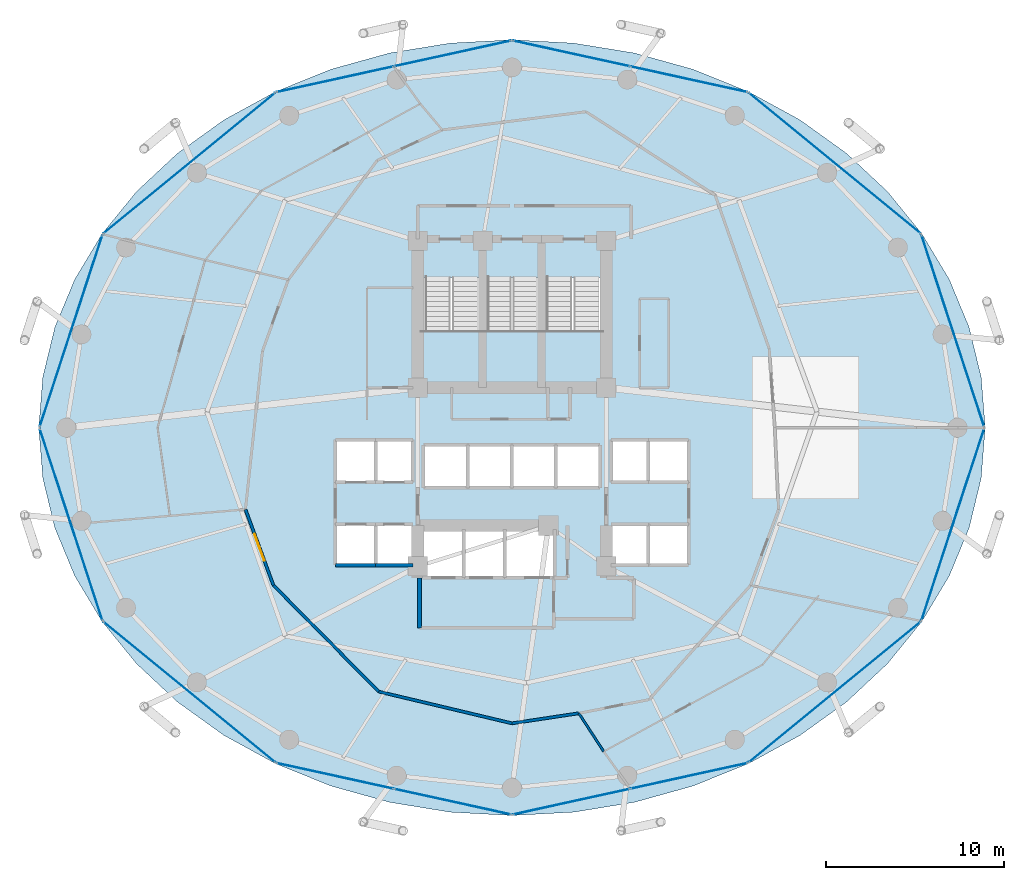
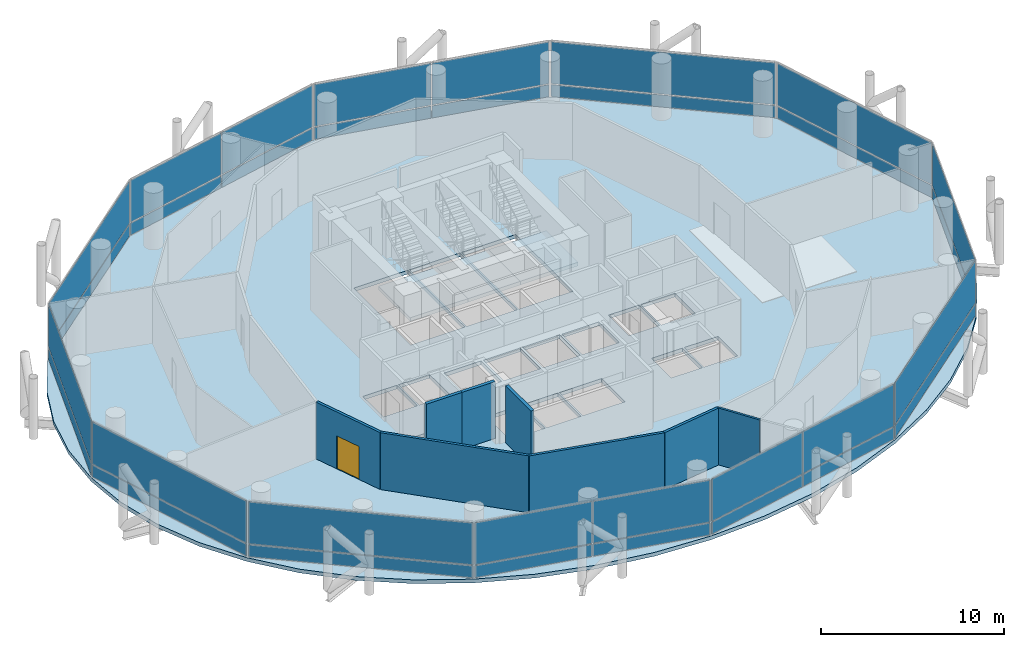
# One storey, part 20 of 24: 32 plates, 8 walls, 4 slabs, 1 door, 1 opening, 15 elements without a shape of their own.
"""IFC4 building model written with IfcOpenShell, lengths in metres."""

from ifc_helpers import new_model, si_unit, direction, frame, frame_2d, origin, origin_2d, place, context, subcontext, project, spatial, polyline, rectangle, outline, extrude, material, layer, layer_set, type_object, element, fill, aggregate, save


model = new_model("IFC4")

# Units and contexts
model_context = context("Model", 3, precision=1e-05, world=origin(), true_north=direction((0.0, 1.0)))
body_context = subcontext(model_context, "Body", "Model", "MODEL_VIEW")
ifc_project = project(units=[si_unit("LENGTHUNIT", "METRE"), si_unit("AREAUNIT", "SQUARE_METRE"), si_unit("VOLUMEUNIT", "CUBIC_METRE"), si_unit("PLANEANGLEUNIT", "RADIAN"), si_unit("MASSUNIT", "GRAM", prefix="KILO")], contexts=[model_context])

# Site, building, storey
site_placement = place(None, origin())
site = spatial("IfcSite", under=ifc_project, at=site_placement, CompositionType="ELEMENT")
building_placement = place(site_placement, origin())
building = spatial("IfcBuilding", under=site, at=building_placement, Name="Nuhasar Tower", CompositionType="ELEMENT")
storey_placement = place(building_placement, frame((0.0, 0.0, 85.800048828125)))
storey = spatial("IfcBuildingStorey", under=building, at=storey_placement, Name="L20", CompositionType="ELEMENT", Elevation=85.800048828125)

# Curtain wall, plate
ifc_material_1 = material(Name="Aluminium 6063-T6", Category="aluminium")
ifc_layer_1 = layer(ifc_material_1, 0.199951171875)
ifc_layer_set_1 = layer_set([ifc_layer_1], Name="Aluminium 6063-T6")
curtain_wall_type = type_object("IfcCurtainWallType", Name="CW-Z1-OFF", PredefinedType="NOTDEFINED", material=ifc_layer_set_1)
curtain_wall_1_placement = place(storey_placement, origin())
curtain_wall_1 = element("IfcCurtainWall", 1, at=curtain_wall_1_placement, inside=storey, type_object=curtain_wall_type, Name="L20 Unitised Curtain Wall 01", PredefinedType="NOTDEFINED")
ifc_material_2 = material(Name="Glass Double Low-E", Category="glass")
ifc_layer_2 = layer(ifc_material_2, 0.028076171875)
ifc_layer_set_2 = layer_set([ifc_layer_2], Name="Glass Double Low-E")
plate_type_1 = type_object("IfcPlateType", Name="CW-PANEL-GLZ", PredefinedType="CURTAIN_PANEL", material=ifc_layer_set_2)
plate_1_placement = place(storey_placement, frame((63.781005859375, 32.239990234375, 0.9326171875), z_axis=(0.0, 0.0, 1.0), x_axis=(-0.310823849997, 0.950467534571, 0.0)))
plate_1 = element("IfcPlate", 2, at=plate_1_placement, type_object=plate_type_1, Name="CW-Z1 panel 1.2", PredefinedType="CURTAIN_PANEL", context=body_context, shape_type="SweptSolid", body=[
    extrude(rectangle(XDim=11.31689453125, YDim=0.028076171875, at=origin_2d()), origin(), (0.0, 0.0, 1.0), 2.802490234375),
])

curtain_wall_2_placement = place(storey_placement, origin())
curtain_wall_2 = element("IfcCurtainWall", 3, at=curtain_wall_2_placement, inside=storey, type_object=curtain_wall_type, Name="L20 Unitised Curtain Wall 02", PredefinedType="NOTDEFINED")
plate_2_placement = place(storey_placement, frame((57.14111328125, 41.66259765625, 0.9326171875), z_axis=(0.0, 0.0, 1.0), x_axis=(-0.773542364946, 0.633744593376, 0.0)))
plate_2 = element("IfcPlate", 4, at=plate_2_placement, type_object=plate_type_1, Name="CW-Z1 panel 1.2", PredefinedType="CURTAIN_PANEL", context=body_context, shape_type="SweptSolid", body=[
    extrude(rectangle(XDim=12.438232421875, YDim=0.028076171875, at=origin_2d()), origin(), (0.0, 0.0, 1.0), 2.802490234375),
])

# Curtain wall, plates
curtain_wall_3_placement = place(storey_placement, origin())
curtain_wall_3 = element("IfcCurtainWall", 5, at=curtain_wall_3_placement, inside=storey, type_object=curtain_wall_type, Name="L20 Unitised Curtain Wall 03", PredefinedType="NOTDEFINED")
plate_3_placement = place(storey_placement, frame((48.944091796875, 46.377197265625, 0.9326171875), z_axis=(0.0, 0.0, 1.0), x_axis=(-0.976746221544, 0.214398737637, 0.0)))
plate_3 = element("IfcPlate", 6, at=plate_3_placement, type_object=plate_type_1, Name="CW-Z1 panel 1.2", PredefinedType="CURTAIN_PANEL", context=body_context, shape_type="SweptSolid", body=[
    extrude(rectangle(XDim=6.70068359375, YDim=0.028076171875, at=origin_2d()), origin(), (0.0, 0.0, 1.0), 2.802490234375),
])
plate_4_placement = place(storey_placement, frame((42.3359375, 47.827880859375, 0.9326171875), z_axis=(0.0, 0.0, 1.0), x_axis=(-0.976746221544, 0.214398737637, 0.0)))
plate_4 = element("IfcPlate", 7, at=plate_4_placement, type_object=plate_type_1, Name="CW-Z1 panel 2.2", PredefinedType="CURTAIN_PANEL", context=body_context, shape_type="SweptSolid", body=[
    extrude(rectangle(XDim=6.70068359375, YDim=0.028076171875, at=origin_2d()), origin(), (0.0, 0.0, 1.0), 2.802490234375),
])

curtain_wall_4_placement = place(storey_placement, origin())
curtain_wall_4 = element("IfcCurtainWall", 8, at=curtain_wall_4_placement, inside=storey, type_object=curtain_wall_type, Name="L20 Unitised Curtain Wall 04", PredefinedType="NOTDEFINED")
plate_5_placement = place(storey_placement, frame((35.6640625, 47.827880859375, 0.9326171875), z_axis=(0.0, 0.0, 1.0), x_axis=(-0.976746221544, -0.214398737637, 0.0)))
plate_5 = element("IfcPlate", 9, at=plate_5_placement, type_object=plate_type_1, Name="CW-Z1 panel 1.2", PredefinedType="CURTAIN_PANEL", context=body_context, shape_type="SweptSolid", body=[
    extrude(rectangle(XDim=6.70068359375, YDim=0.028076171875, at=origin_2d()), origin(), (0.0, 0.0, 1.0), 2.802490234375),
])
plate_6_placement = place(storey_placement, frame((29.055908203125, 46.377197265625, 0.9326171875), z_axis=(0.0, 0.0, 1.0), x_axis=(-0.976746221544, -0.214398737637, 0.0)))
plate_6 = element("IfcPlate", 10, at=plate_6_placement, type_object=plate_type_1, Name="CW-Z1 panel 2.2", PredefinedType="CURTAIN_PANEL", context=body_context, shape_type="SweptSolid", body=[
    extrude(rectangle(XDim=6.70068359375, YDim=0.028076171875, at=origin_2d()), origin(), (0.0, 0.0, 1.0), 2.802490234375),
])

# Curtain wall, plate
curtain_wall_5_placement = place(storey_placement, origin())
curtain_wall_5 = element("IfcCurtainWall", 11, at=curtain_wall_5_placement, inside=storey, type_object=curtain_wall_type, Name="L20 Unitised Curtain Wall 05", PredefinedType="NOTDEFINED")
plate_7_placement = place(storey_placement, frame((20.85888671875, 41.66259765625, 0.9326171875), z_axis=(0.0, 0.0, 1.0), x_axis=(-0.773542364946, -0.633744593376, 0.0)))
plate_7 = element("IfcPlate", 12, at=plate_7_placement, type_object=plate_type_1, Name="CW-Z1 panel 1.2", PredefinedType="CURTAIN_PANEL", context=body_context, shape_type="SweptSolid", body=[
    extrude(rectangle(XDim=12.438232421875, YDim=0.028076171875, at=origin_2d()), origin(), (0.0, 0.0, 1.0), 2.802490234375),
])

curtain_wall_6_placement = place(storey_placement, origin())
curtain_wall_6 = element("IfcCurtainWall", 13, at=curtain_wall_6_placement, inside=storey, type_object=curtain_wall_type, Name="L20 Unitised Curtain Wall 06", PredefinedType="NOTDEFINED")
plate_8_placement = place(storey_placement, frame((14.218994140625, 32.239990234375, 0.9326171875), z_axis=(0.0, 0.0, 1.0), x_axis=(-0.310823849997, -0.950467534571, 0.0)))
plate_8 = element("IfcPlate", 14, at=plate_8_placement, type_object=plate_type_1, Name="CW-Z1 panel 1.2", PredefinedType="CURTAIN_PANEL", context=body_context, shape_type="SweptSolid", body=[
    extrude(rectangle(XDim=11.31689453125, YDim=0.028076171875, at=origin_2d()), origin(), (0.0, 0.0, 1.0), 2.802490234375),
])

curtain_wall_7_placement = place(storey_placement, origin())
curtain_wall_7 = element("IfcCurtainWall", 15, at=curtain_wall_7_placement, inside=storey, type_object=curtain_wall_type, Name="L20 Unitised Curtain Wall 07", PredefinedType="NOTDEFINED")
plate_9_placement = place(storey_placement, frame((14.218994140625, 21.360107421875, 0.9326171875), z_axis=(0.0, 0.0, 1.0), x_axis=(0.310823849997, -0.950467534571, 0.0)))
plate_9 = element("IfcPlate", 16, at=plate_9_placement, type_object=plate_type_1, Name="CW-Z1 panel 1.2", PredefinedType="CURTAIN_PANEL", context=body_context, shape_type="SweptSolid", body=[
    extrude(rectangle(XDim=11.31689453125, YDim=0.028076171875, at=origin_2d()), origin(), (0.0, 0.0, 1.0), 2.802490234375),
])

curtain_wall_8_placement = place(storey_placement, origin())
curtain_wall_8 = element("IfcCurtainWall", 17, at=curtain_wall_8_placement, inside=storey, type_object=curtain_wall_type, Name="L20 Unitised Curtain Wall 08", PredefinedType="NOTDEFINED")
plate_10_placement = place(storey_placement, frame((20.85888671875, 11.9375, 0.9326171875), z_axis=(0.0, 0.0, 1.0), x_axis=(0.773542364946, -0.633744593376, 0.0)))
plate_10 = element("IfcPlate", 18, at=plate_10_placement, type_object=plate_type_1, Name="CW-Z1 panel 1.2", PredefinedType="CURTAIN_PANEL", context=body_context, shape_type="SweptSolid", body=[
    extrude(rectangle(XDim=12.438232421875, YDim=0.028076171875, at=origin_2d()), origin(), (0.0, 0.0, 1.0), 2.802490234375),
])

# Curtain wall, plates
curtain_wall_9_placement = place(storey_placement, origin())
curtain_wall_9 = element("IfcCurtainWall", 19, at=curtain_wall_9_placement, inside=storey, type_object=curtain_wall_type, Name="L20 Unitised Curtain Wall 09", PredefinedType="NOTDEFINED")
plate_11_placement = place(storey_placement, frame((29.055908203125, 7.22265625, 0.9326171875), z_axis=(0.0, 0.0, 1.0), x_axis=(0.976746221544, -0.214398737637, 0.0)))
plate_11 = element("IfcPlate", 20, at=plate_11_placement, type_object=plate_type_1, Name="CW-Z1 panel 1.2", PredefinedType="CURTAIN_PANEL", context=body_context, shape_type="SweptSolid", body=[
    extrude(rectangle(XDim=6.70068359375, YDim=0.028076171875, at=origin_2d()), origin(), (0.0, 0.0, 1.0), 2.802490234375),
])
plate_12_placement = place(storey_placement, frame((35.6640625, 5.772216796875, 0.9326171875), z_axis=(0.0, 0.0, 1.0), x_axis=(0.976746221544, -0.214398737637, 0.0)))
plate_12 = element("IfcPlate", 21, at=plate_12_placement, type_object=plate_type_1, Name="CW-Z1 panel 2.2", PredefinedType="CURTAIN_PANEL", context=body_context, shape_type="SweptSolid", body=[
    extrude(rectangle(XDim=6.70068359375, YDim=0.028076171875, at=origin_2d()), origin(), (0.0, 0.0, 1.0), 2.802490234375),
])

curtain_wall_10_placement = place(storey_placement, origin())
curtain_wall_10 = element("IfcCurtainWall", 22, at=curtain_wall_10_placement, inside=storey, type_object=curtain_wall_type, Name="L20 Unitised Curtain Wall 10", PredefinedType="NOTDEFINED")
plate_13_placement = place(storey_placement, frame((42.3359375, 5.772216796875, 0.9326171875), z_axis=(0.0, 0.0, 1.0), x_axis=(0.976746221544, 0.214398737637, 0.0)))
plate_13 = element("IfcPlate", 23, at=plate_13_placement, type_object=plate_type_1, Name="CW-Z1 panel 1.2", PredefinedType="CURTAIN_PANEL", context=body_context, shape_type="SweptSolid", body=[
    extrude(rectangle(XDim=6.70068359375, YDim=0.028076171875, at=origin_2d()), origin(), (0.0, 0.0, 1.0), 2.802490234375),
])
plate_14_placement = place(storey_placement, frame((48.944091796875, 7.22265625, 0.9326171875), z_axis=(0.0, 0.0, 1.0), x_axis=(0.976746221544, 0.214398737637, 0.0)))
plate_14 = element("IfcPlate", 24, at=plate_14_placement, type_object=plate_type_1, Name="CW-Z1 panel 2.2", PredefinedType="CURTAIN_PANEL", context=body_context, shape_type="SweptSolid", body=[
    extrude(rectangle(XDim=6.70068359375, YDim=0.028076171875, at=origin_2d()), origin(), (0.0, 0.0, 1.0), 2.802490234375),
])

# Curtain wall, plate
curtain_wall_11_placement = place(storey_placement, origin())
curtain_wall_11 = element("IfcCurtainWall", 25, at=curtain_wall_11_placement, inside=storey, type_object=curtain_wall_type, Name="L20 Unitised Curtain Wall 11", PredefinedType="NOTDEFINED")
plate_15_placement = place(storey_placement, frame((57.14111328125, 11.9375, 0.9326171875), z_axis=(0.0, 0.0, 1.0), x_axis=(0.773542364946, 0.633744593376, 0.0)))
plate_15 = element("IfcPlate", 26, at=plate_15_placement, type_object=plate_type_1, Name="CW-Z1 panel 1.2", PredefinedType="CURTAIN_PANEL", context=body_context, shape_type="SweptSolid", body=[
    extrude(rectangle(XDim=12.438232421875, YDim=0.028076171875, at=origin_2d()), origin(), (0.0, 0.0, 1.0), 2.802490234375),
])

curtain_wall_12_placement = place(storey_placement, origin())
curtain_wall_12 = element("IfcCurtainWall", 27, at=curtain_wall_12_placement, inside=storey, type_object=curtain_wall_type, Name="L20 Unitised Curtain Wall 12", PredefinedType="NOTDEFINED")
plate_16_placement = place(storey_placement, frame((63.781005859375, 21.360107421875, 0.9326171875), z_axis=(0.0, 0.0, 1.0), x_axis=(0.310823849997, 0.950467534571, 0.0)))
plate_16 = element("IfcPlate", 28, at=plate_16_placement, type_object=plate_type_1, Name="CW-Z1 panel 1.2", PredefinedType="CURTAIN_PANEL", context=body_context, shape_type="SweptSolid", body=[
    extrude(rectangle(XDim=11.31689453125, YDim=0.028076171875, at=origin_2d()), origin(), (0.0, 0.0, 1.0), 2.802490234375),
])

# Plate
ifc_material_3 = material(Name="Glass Spandrel", Category="glass")
ifc_layer_3 = layer(ifc_material_3, 0.035888671875)
ifc_layer_set_3 = layer_set([ifc_layer_3], Name="Glass Spandrel")
plate_type_2 = type_object("IfcPlateType", Name="CW-PANEL-SPN", PredefinedType="CURTAIN_PANEL", material=ifc_layer_set_3)
plate_17_placement = place(storey_placement, frame((63.781005859375, 32.239990234375, 0.06494140625), z_axis=(0.0, 0.0, 1.0), x_axis=(-0.310823849997, 0.950467534571, 0.0)))
plate_17 = element("IfcPlate", 29, at=plate_17_placement, type_object=plate_type_2, Name="CW-Z1 panel 1.1", PredefinedType="CURTAIN_PANEL", context=body_context, shape_type="SweptSolid", body=[
    extrude(rectangle(XDim=11.31689453125, YDim=0.035888671875, at=origin_2d()), origin(), (0.0, 0.0, 1.0), 0.802490234375),
])

aggregate(curtain_wall_1, [plate_17, plate_1])

plate_18_placement = place(storey_placement, frame((57.14111328125, 41.66259765625, 0.06494140625), z_axis=(0.0, 0.0, 1.0), x_axis=(-0.773542364946, 0.633744593376, 0.0)))
plate_18 = element("IfcPlate", 30, at=plate_18_placement, type_object=plate_type_2, Name="CW-Z1 panel 1.1", PredefinedType="CURTAIN_PANEL", context=body_context, shape_type="SweptSolid", body=[
    extrude(rectangle(XDim=12.438232421875, YDim=0.035888671875, at=origin_2d()), origin(), (0.0, 0.0, 1.0), 0.802490234375),
])

aggregate(curtain_wall_2, [plate_18, plate_2])

plate_19_placement = place(storey_placement, frame((48.944091796875, 46.377197265625, 0.06494140625), z_axis=(0.0, 0.0, 1.0), x_axis=(-0.976746221544, 0.214398737637, 0.0)))
plate_19 = element("IfcPlate", 31, at=plate_19_placement, type_object=plate_type_2, Name="CW-Z1 panel 1.1", PredefinedType="CURTAIN_PANEL", context=body_context, shape_type="SweptSolid", body=[
    extrude(rectangle(XDim=6.70068359375, YDim=0.035888671875, at=origin_2d()), origin(), (0.0, 0.0, 1.0), 0.802490234375),
])

plate_20_placement = place(storey_placement, frame((42.3359375, 47.827880859375, 0.06494140625), z_axis=(0.0, 0.0, 1.0), x_axis=(-0.976746221544, 0.214398737637, 0.0)))
plate_20 = element("IfcPlate", 32, at=plate_20_placement, type_object=plate_type_2, Name="CW-Z1 panel 2.1", PredefinedType="CURTAIN_PANEL", context=body_context, shape_type="SweptSolid", body=[
    extrude(rectangle(XDim=6.70068359375, YDim=0.035888671875, at=origin_2d()), origin(), (0.0, 0.0, 1.0), 0.802490234375),
])

aggregate(curtain_wall_3, [plate_19, plate_3, plate_20, plate_4])

plate_21_placement = place(storey_placement, frame((35.6640625, 47.827880859375, 0.06494140625), z_axis=(0.0, 0.0, 1.0), x_axis=(-0.976746221544, -0.214398737637, 0.0)))
plate_21 = element("IfcPlate", 33, at=plate_21_placement, type_object=plate_type_2, Name="CW-Z1 panel 1.1", PredefinedType="CURTAIN_PANEL", context=body_context, shape_type="SweptSolid", body=[
    extrude(rectangle(XDim=6.70068359375, YDim=0.035888671875, at=origin_2d()), origin(), (0.0, 0.0, 1.0), 0.802490234375),
])

plate_22_placement = place(storey_placement, frame((29.055908203125, 46.377197265625, 0.06494140625), z_axis=(0.0, 0.0, 1.0), x_axis=(-0.976746221544, -0.214398737637, 0.0)))
plate_22 = element("IfcPlate", 34, at=plate_22_placement, type_object=plate_type_2, Name="CW-Z1 panel 2.1", PredefinedType="CURTAIN_PANEL", context=body_context, shape_type="SweptSolid", body=[
    extrude(rectangle(XDim=6.70068359375, YDim=0.035888671875, at=origin_2d()), origin(), (0.0, 0.0, 1.0), 0.802490234375),
])

aggregate(curtain_wall_4, [plate_21, plate_5, plate_22, plate_6])

plate_23_placement = place(storey_placement, frame((20.85888671875, 41.66259765625, 0.06494140625), z_axis=(0.0, 0.0, 1.0), x_axis=(-0.773542364946, -0.633744593376, 0.0)))
plate_23 = element("IfcPlate", 35, at=plate_23_placement, type_object=plate_type_2, Name="CW-Z1 panel 1.1", PredefinedType="CURTAIN_PANEL", context=body_context, shape_type="SweptSolid", body=[
    extrude(rectangle(XDim=12.438232421875, YDim=0.035888671875, at=origin_2d()), origin(), (0.0, 0.0, 1.0), 0.802490234375),
])

aggregate(curtain_wall_5, [plate_23, plate_7])

plate_24_placement = place(storey_placement, frame((14.218994140625, 32.239990234375, 0.06494140625), z_axis=(0.0, 0.0, 1.0), x_axis=(-0.310823849997, -0.950467534571, 0.0)))
plate_24 = element("IfcPlate", 36, at=plate_24_placement, type_object=plate_type_2, Name="CW-Z1 panel 1.1", PredefinedType="CURTAIN_PANEL", context=body_context, shape_type="SweptSolid", body=[
    extrude(rectangle(XDim=11.31689453125, YDim=0.035888671875, at=origin_2d()), origin(), (0.0, 0.0, 1.0), 0.802490234375),
])

aggregate(curtain_wall_6, [plate_24, plate_8])

plate_25_placement = place(storey_placement, frame((14.218994140625, 21.360107421875, 0.06494140625), z_axis=(0.0, 0.0, 1.0), x_axis=(0.310823849997, -0.950467534571, 0.0)))
plate_25 = element("IfcPlate", 37, at=plate_25_placement, type_object=plate_type_2, Name="CW-Z1 panel 1.1", PredefinedType="CURTAIN_PANEL", context=body_context, shape_type="SweptSolid", body=[
    extrude(rectangle(XDim=11.31689453125, YDim=0.035888671875, at=origin_2d()), origin(), (0.0, 0.0, 1.0), 0.802490234375),
])

aggregate(curtain_wall_7, [plate_25, plate_9])

plate_26_placement = place(storey_placement, frame((20.85888671875, 11.9375, 0.06494140625), z_axis=(0.0, 0.0, 1.0), x_axis=(0.773542364946, -0.633744593376, 0.0)))
plate_26 = element("IfcPlate", 38, at=plate_26_placement, type_object=plate_type_2, Name="CW-Z1 panel 1.1", PredefinedType="CURTAIN_PANEL", context=body_context, shape_type="SweptSolid", body=[
    extrude(rectangle(XDim=12.438232421875, YDim=0.035888671875, at=origin_2d()), origin(), (0.0, 0.0, 1.0), 0.802490234375),
])

aggregate(curtain_wall_8, [plate_26, plate_10])

plate_27_placement = place(storey_placement, frame((29.055908203125, 7.22265625, 0.06494140625), z_axis=(0.0, 0.0, 1.0), x_axis=(0.976746221544, -0.214398737637, 0.0)))
plate_27 = element("IfcPlate", 39, at=plate_27_placement, type_object=plate_type_2, Name="CW-Z1 panel 1.1", PredefinedType="CURTAIN_PANEL", context=body_context, shape_type="SweptSolid", body=[
    extrude(rectangle(XDim=6.70068359375, YDim=0.035888671875, at=origin_2d()), origin(), (0.0, 0.0, 1.0), 0.802490234375),
])

plate_28_placement = place(storey_placement, frame((35.6640625, 5.772216796875, 0.06494140625), z_axis=(0.0, 0.0, 1.0), x_axis=(0.976746221544, -0.214398737637, 0.0)))
plate_28 = element("IfcPlate", 40, at=plate_28_placement, type_object=plate_type_2, Name="CW-Z1 panel 2.1", PredefinedType="CURTAIN_PANEL", context=body_context, shape_type="SweptSolid", body=[
    extrude(rectangle(XDim=6.70068359375, YDim=0.035888671875, at=origin_2d()), origin(), (0.0, 0.0, 1.0), 0.802490234375),
])

aggregate(curtain_wall_9, [plate_27, plate_11, plate_28, plate_12])

plate_29_placement = place(storey_placement, frame((42.3359375, 5.772216796875, 0.06494140625), z_axis=(0.0, 0.0, 1.0), x_axis=(0.976746221544, 0.214398737637, 0.0)))
plate_29 = element("IfcPlate", 41, at=plate_29_placement, type_object=plate_type_2, Name="CW-Z1 panel 1.1", PredefinedType="CURTAIN_PANEL", context=body_context, shape_type="SweptSolid", body=[
    extrude(rectangle(XDim=6.70068359375, YDim=0.035888671875, at=origin_2d()), origin(), (0.0, 0.0, 1.0), 0.802490234375),
])

plate_30_placement = place(storey_placement, frame((48.944091796875, 7.22265625, 0.06494140625), z_axis=(0.0, 0.0, 1.0), x_axis=(0.976746221544, 0.214398737637, 0.0)))
plate_30 = element("IfcPlate", 42, at=plate_30_placement, type_object=plate_type_2, Name="CW-Z1 panel 2.1", PredefinedType="CURTAIN_PANEL", context=body_context, shape_type="SweptSolid", body=[
    extrude(rectangle(XDim=6.70068359375, YDim=0.035888671875, at=origin_2d()), origin(), (0.0, 0.0, 1.0), 0.802490234375),
])

aggregate(curtain_wall_10, [plate_29, plate_13, plate_30, plate_14])

plate_31_placement = place(storey_placement, frame((57.14111328125, 11.9375, 0.06494140625), z_axis=(0.0, 0.0, 1.0), x_axis=(0.773542364946, 0.633744593376, 0.0)))
plate_31 = element("IfcPlate", 43, at=plate_31_placement, type_object=plate_type_2, Name="CW-Z1 panel 1.1", PredefinedType="CURTAIN_PANEL", context=body_context, shape_type="SweptSolid", body=[
    extrude(rectangle(XDim=12.438232421875, YDim=0.035888671875, at=origin_2d()), origin(), (0.0, 0.0, 1.0), 0.802490234375),
])

aggregate(curtain_wall_11, [plate_31, plate_15])

plate_32_placement = place(storey_placement, frame((63.781005859375, 21.360107421875, 0.06494140625), z_axis=(0.0, 0.0, 1.0), x_axis=(0.310823849997, 0.950467534571, 0.0)))
plate_32 = element("IfcPlate", 44, at=plate_32_placement, type_object=plate_type_2, Name="CW-Z1 panel 1.1", PredefinedType="CURTAIN_PANEL", context=body_context, shape_type="SweptSolid", body=[
    extrude(rectangle(XDim=11.31689453125, YDim=0.035888671875, at=origin_2d()), origin(), (0.0, 0.0, 1.0), 0.802490234375),
])

aggregate(curtain_wall_12, [plate_32, plate_16])

# Stair, slab
ifc_material_4 = material(Name="Concrete C45/55", Category="concrete")
stair_type_1 = type_object("IfcStairType", Name="STR-ST-01-2F-24R-1688", PredefinedType="HALF_TURN_STAIR", material=ifc_material_4)
stair_1_placement = place(storey_placement, origin())
stair_1 = element("IfcStair", 45, at=stair_1_placement, inside=storey, type_object=stair_type_1, Name="L20 Exit Stair ST-01", PredefinedType="HALF_TURN_STAIR")
ifc_layer_4 = layer(ifc_material_4, 0.239990234375)
ifc_layer_set_4 = layer_set([ifc_layer_4], Name="Concrete C45/55")
slab_type_1 = type_object("IfcSlabType", Name="SLB-STAIR-LND-240", PredefinedType="LANDING", material=ifc_layer_set_4)
slab_1_placement = place(storey_placement, frame((0.0, 0.0, 1.784912109375)))
slab_1 = element("IfcSlab", 46, at=slab_1_placement, type_object=slab_type_1, Name="ST-01 landing 1", PredefinedType="LANDING", context=body_context, shape_type="SweptSolid", body=[
    extrude(outline(polyline([(33.699951171875, 28.75), (37.35009765625, 28.75), (37.35009765625, 32.239990234375), (33.699951171875, 32.239990234375), (33.699951171875, 28.75)])), origin(), (0.0, 0.0, 1.0), 0.239990234375),
])
aggregate(stair_1, [slab_1])

stair_type_2 = type_object("IfcStairType", Name="STR-ST-03-2F-24R-1688", PredefinedType="HALF_TURN_STAIR", material=ifc_material_4)
stair_2_placement = place(storey_placement, origin())
stair_2 = element("IfcStair", 47, at=stair_2_placement, inside=storey, type_object=stair_type_2, Name="L20 Exit Stair ST-03", PredefinedType="HALF_TURN_STAIR")
slab_2_placement = place(storey_placement, frame((0.0, 0.0, 1.784912109375)))
slab_2 = element("IfcSlab", 48, at=slab_2_placement, type_object=slab_type_1, Name="ST-03 landing 1", PredefinedType="LANDING", context=body_context, shape_type="SweptSolid", body=[
    extrude(outline(polyline([(37.35009765625, 28.75), (40.64990234375, 28.75), (40.64990234375, 32.239990234375), (37.35009765625, 32.239990234375), (37.35009765625, 28.75)])), origin(), (0.0, 0.0, 1.0), 0.239990234375),
])
aggregate(stair_2, [slab_2])

stair_type_3 = type_object("IfcStairType", Name="STR-ST-02-2F-24R-1688", PredefinedType="HALF_TURN_STAIR", material=ifc_material_4)
stair_3_placement = place(storey_placement, origin())
stair_3 = element("IfcStair", 49, at=stair_3_placement, inside=storey, type_object=stair_type_3, Name="L20 Exit Stair ST-02", PredefinedType="HALF_TURN_STAIR")
slab_3_placement = place(storey_placement, frame((0.0, 0.0, 1.784912109375)))
slab_3 = element("IfcSlab", 50, at=slab_3_placement, type_object=slab_type_1, Name="ST-02 landing 1", PredefinedType="LANDING", context=body_context, shape_type="SweptSolid", body=[
    extrude(outline(polyline([(40.64990234375, 28.75), (44.300048828125, 28.75), (44.300048828125, 32.239990234375), (40.64990234375, 32.239990234375), (40.64990234375, 28.75)])), origin(), (0.0, 0.0, 1.0), 0.239990234375),
])
aggregate(stair_3, [slab_3])

# Slab
ifc_layer_5 = layer(ifc_material_4, 0.25)
ifc_layer_set_5 = layer_set([ifc_layer_5], Name="Concrete C45/55")
slab_type_2 = type_object("IfcSlabType", Name="SLB-Z1B-250", PredefinedType="FLOOR", material=ifc_layer_set_5)
slab_4_placement = place(storey_placement, frame((0.0, 0.0, -0.25)))
element("IfcSlab", 51, at=slab_4_placement, inside=storey, type_object=slab_type_2, Name="L20 Structural Slab", PredefinedType="FLOOR", context=body_context, shape_type="SweptSolid", body=[
    extrude(outline(polyline([(65.60009765625, 26.800048828125), (65.3720703125, 29.64501953125), (64.694091796875, 32.44189453125), (63.574951171875, 35.14208984375), (62.035888671875, 37.699951171875), (60.10302734375, 40.071044921875), (57.80908203125, 42.215087890625), (55.193115234375, 44.094970703125), (52.300048828125, 45.678955078125), (49.178955078125, 46.94091796875), (45.885009765625, 47.85693359375), (42.471923828125, 48.4130859375), (39.0, 48.60009765625), (35.528076171875, 48.4130859375), (32.114990234375, 47.85693359375), (28.821044921875, 46.94091796875), (25.699951171875, 45.678955078125), (22.806884765625, 44.094970703125), (20.19091796875, 42.215087890625), (17.89697265625, 40.071044921875), (15.964111328125, 37.699951171875), (14.425048828125, 35.14208984375), (13.305908203125, 32.44189453125), (12.6279296875, 29.64501953125), (12.39990234375, 26.800048828125), (12.6279296875, 23.955078125), (13.305908203125, 21.157958984375), (14.425048828125, 18.4580078125), (15.964111328125, 15.89990234375), (17.89697265625, 13.529052734375), (20.19091796875, 11.385009765625), (22.806884765625, 9.5048828125), (25.699951171875, 7.9208984375), (28.821044921875, 6.658935546875), (32.114990234375, 5.742919921875), (35.528076171875, 5.18701171875), (39.0, 5.0), (42.471923828125, 5.18701171875), (45.885009765625, 5.742919921875), (49.178955078125, 6.658935546875), (52.300048828125, 7.9208984375), (55.193115234375, 9.5048828125), (57.80908203125, 11.385009765625), (60.10302734375, 13.529052734375), (62.035888671875, 15.89990234375), (63.574951171875, 18.4580078125), (64.694091796875, 21.157958984375), (65.3720703125, 23.955078125), (65.60009765625, 26.800048828125)]), holes=[polyline([(33.8798828125, 35.25), (37.300048828125, 35.25), (37.300048828125, 29.0), (33.8798828125, 29.0), (33.8798828125, 35.25)]), polyline([(37.39990234375, 35.25), (40.60009765625, 35.25), (40.60009765625, 29.0), (37.39990234375, 29.0), (37.39990234375, 35.25)]), polyline([(40.699951171875, 35.25), (44.1201171875, 35.25), (44.1201171875, 29.0), (40.699951171875, 29.0), (40.699951171875, 35.25)]), polyline([(29.14990234375, 26.050048828125), (31.300048828125, 26.050048828125), (31.300048828125, 23.800048828125), (29.14990234375, 23.800048828125), (29.14990234375, 26.050048828125)]), polyline([(31.39990234375, 26.050048828125), (33.35009765625, 26.050048828125), (33.35009765625, 23.800048828125), (31.39990234375, 23.800048828125), (31.39990234375, 26.050048828125)]), polyline([(29.14990234375, 21.300048828125), (31.300048828125, 21.300048828125), (31.300048828125, 19.14990234375), (29.14990234375, 19.14990234375), (29.14990234375, 21.300048828125)]), polyline([(31.39990234375, 21.300048828125), (33.35009765625, 21.300048828125), (33.35009765625, 19.14990234375), (31.39990234375, 19.14990234375), (31.39990234375, 21.300048828125)]), polyline([(44.64990234375, 26.050048828125), (46.60009765625, 26.050048828125), (46.60009765625, 23.800048828125), (44.64990234375, 23.800048828125), (44.64990234375, 26.050048828125)]), polyline([(46.699951171875, 26.050048828125), (48.85009765625, 26.050048828125), (48.85009765625, 23.800048828125), (46.699951171875, 23.800048828125), (46.699951171875, 26.050048828125)]), polyline([(44.64990234375, 21.300048828125), (46.60009765625, 21.300048828125), (46.60009765625, 19.14990234375), (44.64990234375, 19.14990234375), (44.64990234375, 21.300048828125)]), polyline([(46.699951171875, 21.300048828125), (48.85009765625, 21.300048828125), (48.85009765625, 19.14990234375), (46.699951171875, 19.14990234375), (46.699951171875, 21.300048828125)]), polyline([(34.10009765625, 25.75), (36.43994140625, 25.75), (36.43994140625, 23.5), (34.10009765625, 23.5), (34.10009765625, 25.75)]), polyline([(36.580078125, 25.75), (38.919921875, 25.75), (38.919921875, 23.5), (36.580078125, 23.5), (36.580078125, 25.75)]), polyline([(39.06005859375, 25.75), (41.39990234375, 25.75), (41.39990234375, 23.5), (39.06005859375, 23.5), (39.06005859375, 25.75)]), polyline([(41.5400390625, 25.75), (43.8798828125, 25.75), (43.8798828125, 23.5), (41.5400390625, 23.5), (41.5400390625, 25.75)]), polyline([(34.050048828125, 21.0), (36.25, 21.0), (36.25, 18.449951171875), (34.050048828125, 18.449951171875), (34.050048828125, 21.0)]), polyline([(36.35009765625, 21.0), (38.550048828125, 21.0), (38.550048828125, 18.449951171875), (36.35009765625, 18.449951171875), (36.35009765625, 21.0)]), polyline([(38.64990234375, 21.0), (41.320068359375, 21.0), (41.320068359375, 18.449951171875), (38.64990234375, 18.449951171875), (38.64990234375, 21.0)])]), origin(), (0.0, 0.0, 1.0), 0.25),
])

# Wall, opening, door
ifc_material_5 = material(Name="Gypsum Board", Category="gypsum")
ifc_layer_6 = layer(ifc_material_5, 0.159912109375)
ifc_layer_set_6 = layer_set([ifc_layer_6], Name="Gypsum Board")
wall_type_1 = type_object("IfcWallType", Name="WL-CORR-160", PredefinedType="PARTITIONING", material=ifc_layer_set_6)
wall_1_placement = place(storey_placement, frame((25.591064453125, 17.93896484375, 0.0), z_axis=(0.0, 0.0, 1.0), x_axis=(-0.345762592588, 0.938322028712, 0.0)))
wall_1 = element("IfcWall", 52, at=wall_1_placement, inside=storey, type_object=wall_type_1, Name="L20 Interior Partition CORR-26", PredefinedType="PARTITIONING", context=body_context, shape_type="SweptSolid", body=[
    extrude(rectangle(XDim=4.546630859375, YDim=0.159912109375, at=frame_2d((2.2734375, 0.0))), origin(), (0.0, 0.0, 1.0), 3.800048828125),
])
opening_placement = place(wall_1_placement, frame((1.472900390625, 0.0, 0.0)))
opening = element("IfcOpeningElement", 53, at=opening_placement, cuts=wall_1, Name="Opening DC-01", PredefinedType="OPENING", context=body_context, shape_type="SweptSolid", body=[
    extrude(rectangle(XDim=1.60009765625, YDim=2.199951171875, at=frame_2d((0.800048828125, 1.10009765625))), frame((0.0, 0.08984375, 0.0), z_axis=(0.0, -1.0, 0.0), x_axis=(1.0, 0.0, 0.0)), (0.0, 0.0, 1.0), 0.179931640625),
])
ifc_material_6 = material(Name="Steel S355", Category="steel")
door_type = type_object("IfcDoorType", Name="DR-CORR-FD60-1600", OperationType="DOUBLE_DOOR_SINGLE_SWING", PredefinedType="DOOR", material=ifc_material_6)
door_placement = place(opening_placement, origin())
door = element("IfcDoor", 54, at=door_placement, inside=storey, type_object=door_type, Name="L20 Consular Operations Hall Entry Door", OperationType="DOUBLE_DOOR_SINGLE_SWING", OverallHeight=2.199951171875, OverallWidth=1.60009765625, PredefinedType="DOOR", context=body_context, shape_type="SweptSolid", body=[
    extrude(rectangle(XDim=1.60009765625, YDim=2.199951171875, at=frame_2d((0.800048828125, 1.10009765625))), frame((0.0, 0.02490234375, 0.0), z_axis=(0.0, -1.0, 0.0), x_axis=(1.0, 0.0, 0.0)), (0.0, 0.0, 1.0), 0.050048828125),
])
fill(opening, door)

# Walls
wall_2_placement = place(storey_placement, frame((25.591064453125, 17.93896484375, 0.0), z_axis=(0.0, 0.0, 1.0), x_axis=(0.703879427374, -0.71031947159, 0.0)))
element("IfcWall", 55, at=wall_2_placement, inside=storey, type_object=wall_type_1, Name="L20 Interior Partition CORR-28", PredefinedType="PARTITIONING", context=body_context, shape_type="SweptSolid", body=[
    extrude(rectangle(XDim=8.416015625, YDim=0.159912109375, at=frame_2d((4.2080078125, 0.0))), origin(), (0.0, 0.0, 1.0), 3.800048828125),
])
wall_3_placement = place(storey_placement, frame((31.514892578125, 11.9609375, 0.0), z_axis=(0.0, 0.0, 1.0), x_axis=(0.972840250297, -0.231477531097, 0.0)))
element("IfcWall", 56, at=wall_3_placement, inside=storey, type_object=wall_type_1, Name="L20 Interior Partition CORR-32", PredefinedType="PARTITIONING", context=body_context, shape_type="SweptSolid", body=[
    extrude(rectangle(XDim=7.694091796875, YDim=0.159912109375, at=frame_2d((3.84716796875, 0.0))), origin(), (0.0, 0.0, 1.0), 3.800048828125),
])
wall_4_placement = place(storey_placement, frame((39.0, 10.179931640625, 0.0), z_axis=(0.0, 0.0, 1.0), x_axis=(0.988841440964, 0.148971824959, 0.0)))
element("IfcWall", 57, at=wall_4_placement, inside=storey, type_object=wall_type_1, Name="L20 Interior Partition CORR-36", PredefinedType="PARTITIONING", context=body_context, shape_type="SweptSolid", body=[
    extrude(rectangle(XDim=3.800537109375, YDim=0.159912109375, at=frame_2d((1.900390625, 0.0))), origin(), (0.0, 0.0, 1.0), 3.800048828125),
])
ifc_layer_7 = layer(ifc_material_4, 0.199951171875)
ifc_layer_set_7 = layer_set([ifc_layer_7], Name="Concrete C45/55")
wall_type_2 = type_object("IfcWallType", Name="WL-LOBBY-200", PredefinedType="SOLIDWALL", material=ifc_layer_set_7)
wall_5_placement = place(storey_placement, frame((33.800048828125, 15.550048828125, 0.0), z_axis=(0.0, 0.0, 1.0), x_axis=(0.0, 1.0, 0.0)))
element("IfcWall", 58, at=wall_5_placement, inside=storey, type_object=wall_type_2, Name="L20 Interior Partition FFL-W", PredefinedType="SOLIDWALL", context=body_context, shape_type="SweptSolid", body=[
    extrude(rectangle(XDim=2.800048828125, YDim=0.199951171875, at=frame_2d((1.39990234375, 0.0))), origin(), (0.0, 0.0, 1.0), 3.800048828125),
])
ifc_layer_8 = layer(ifc_material_5, 0.125)
ifc_layer_set_8 = layer_set([ifc_layer_8], Name="Gypsum Board")
wall_type_3 = type_object("IfcWallType", Name="WL-PART-125", PredefinedType="PARTITIONING", material=ifc_layer_set_8)
wall_6_placement = place(storey_placement, frame((42.758056640625, 10.74609375, 0.0), z_axis=(0.0, 0.0, 1.0), x_axis=(0.545165828581, -0.838328228886, 0.0)))
element("IfcWall", 59, at=wall_6_placement, inside=storey, type_object=wall_type_3, Name="L20 Interior Partition ORAD-38-S1", PredefinedType="PARTITIONING", context=body_context, shape_type="SweptSolid", body=[
    extrude(rectangle(XDim=2.5625, YDim=0.125, at=frame_2d((1.28125, 0.0))), origin(), (0.0, 0.0, 1.0), 3.800048828125),
])
ifc_layer_9 = layer(ifc_material_4, 0.199951171875)
ifc_layer_set_9 = layer_set([ifc_layer_9], Name="Concrete C45/55")
wall_type_4 = type_object("IfcWallType", Name="WL-SHAFT-200", PredefinedType="SOLIDWALL", material=ifc_layer_set_9)
wall_7_placement = place(storey_placement, frame((29.070068359375, 19.070068359375, 0.0), z_axis=(0.0, 0.0, 1.0), x_axis=(1.0, 0.0, 0.0)))
element("IfcWall", 60, at=wall_7_placement, inside=storey, type_object=wall_type_4, Name="L20 Interior Partition SHF-PL-L03-S", PredefinedType="SOLIDWALL", context=body_context, shape_type="SweptSolid", body=[
    extrude(rectangle(XDim=2.309814453125, YDim=0.199951171875, at=frame_2d((1.15478515625, 0.0))), origin(), (0.0, 0.0, 1.0), 3.800048828125),
])
wall_8_placement = place(storey_placement, frame((31.320068359375, 19.070068359375, 0.0), z_axis=(0.0, 0.0, 1.0), x_axis=(1.0, 0.0, 0.0)))
element("IfcWall", 61, at=wall_8_placement, inside=storey, type_object=wall_type_4, Name="L20 Interior Partition SHF-PL-L04-S", PredefinedType="SOLIDWALL", context=body_context, shape_type="SweptSolid", body=[
    extrude(rectangle(XDim=2.10986328125, YDim=0.199951171875, at=frame_2d((1.054931640625, 0.0))), origin(), (0.0, 0.0, 1.0), 3.800048828125),
])

save(model, "model.ifc")
